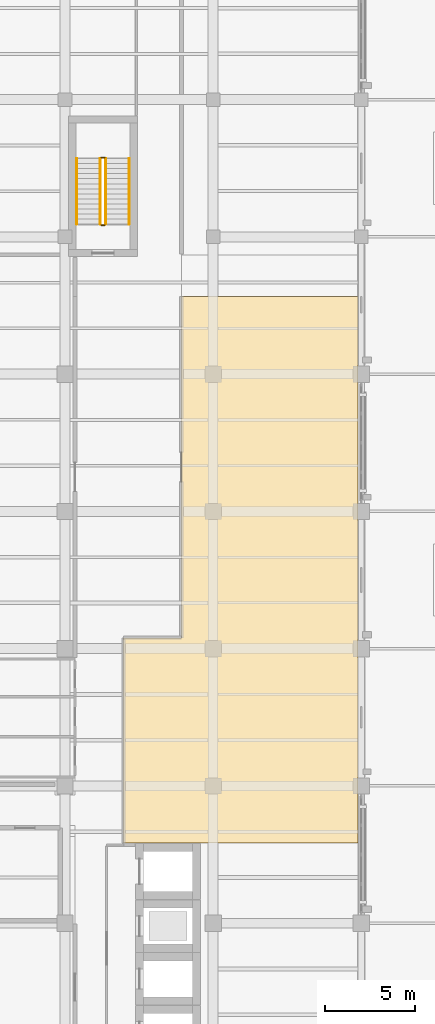
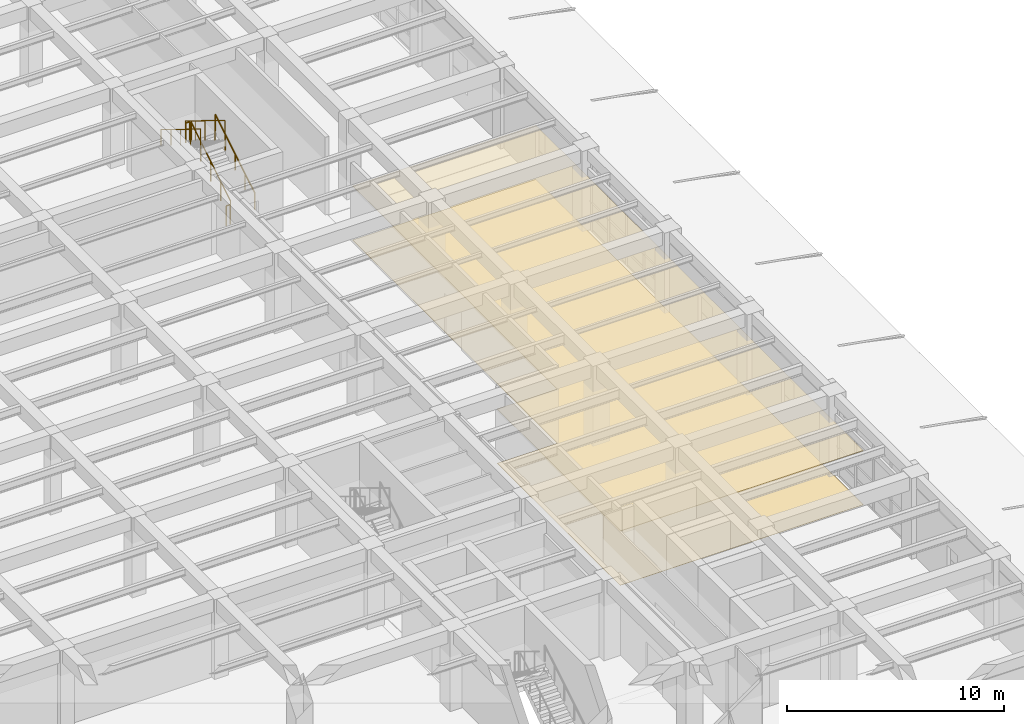
# One storey, part 55 of 57: 6 railings, 2 coverings.
"""IFC4 building model written with IfcOpenShell, lengths in metres."""

from ifc_helpers import new_model, si_unit, direction, frame, origin, origin_2d, place, context, subcontext, project, spatial, polyline, circle, outline, extrude, material, layer, layer_set, type_object, element, save


model = new_model("IFC4")

# Units and contexts
model_context = context("Model", 3, precision=1e-05, world=origin(), true_north=direction((0.0, 1.0)))
body_context = subcontext(model_context, "Body", "Model", "MODEL_VIEW")
ifc_project = project(units=[si_unit("LENGTHUNIT", "METRE"), si_unit("AREAUNIT", "SQUARE_METRE"), si_unit("VOLUMEUNIT", "CUBIC_METRE"), si_unit("PLANEANGLEUNIT", "RADIAN"), si_unit("MASSUNIT", "GRAM", prefix="KILO")], contexts=[model_context])

# Site, building, storey
site_placement = place(None, origin())
site = spatial("IfcSite", under=ifc_project, at=site_placement, CompositionType="ELEMENT")
building_placement = place(site_placement, origin())
building = spatial("IfcBuilding", under=site, at=building_placement, Name="Qandaris Square Conservatory and Botanical Centre", CompositionType="ELEMENT")
storey_placement = place(building_placement, frame((0.0, 0.0, 5.39990234375)))
storey = spatial("IfcBuildingStorey", under=building, at=storey_placement, Name="L01", CompositionType="ELEMENT", Elevation=5.39990234375)

# Coverings
ifc_material_1 = material(Name="Gypsum Plasterboard", Category="gypsum")
ifc_layer_1 = layer(ifc_material_1, 0.02490234375)
ifc_layer_set_1 = layer_set([ifc_layer_1], Name="Gypsum Plasterboard")
covering_type_1 = type_object("IfcCoveringType", Name="Perforated Acoustic Lab Ceiling Tile", PredefinedType="CEILING", material=ifc_layer_set_1)
covering_1_placement = place(storey_placement, frame((0.0, 0.0, 3.050048828125)))
element("IfcCovering", 1, at=covering_1_placement, inside=storey, type_object=covering_type_1, Name="Arabian Peninsula Herbarium Compactor Hall Ceiling", PredefinedType="CEILING", context=body_context, shape_type="SweptSolid", body=[
    extrude(outline(polyline([(150.64990234375, 47.60009765625), (153.85009765625, 47.60009765625), (153.85009765625, 66.5), (163.6201171875, 66.5), (163.6201171875, 36.25), (150.64990234375, 36.25), (150.64990234375, 47.60009765625)])), origin(), (0.0, 0.0, 1.0), 0.025146484375),
])
ifc_material_2 = material(Name="Epoxy Resin Screed", Category="finish")
ifc_layer_2 = layer(ifc_material_2, 0.014892578125)
ifc_layer_set_2 = layer_set([ifc_layer_2], Name="Epoxy Resin Screed")
covering_type_2 = type_object("IfcCoveringType", Name="Seamless Epoxy Laboratory Flooring", PredefinedType="FLOORING", material=ifc_layer_set_2)
covering_2_placement = place(storey_placement, origin())
element("IfcCovering", 2, at=covering_2_placement, inside=storey, type_object=covering_type_2, Name="Arabian Peninsula Herbarium Compactor Hall Flooring", PredefinedType="FLOORING", context=body_context, shape_type="SweptSolid", body=[
    extrude(outline(polyline([(150.64990234375, 47.60009765625), (153.85009765625, 47.60009765625), (153.85009765625, 66.5), (163.6201171875, 66.5), (163.6201171875, 36.25), (150.64990234375, 36.25), (150.64990234375, 47.60009765625)])), origin(), (0.0, 0.0, 1.0), 0.01513671875),
])

# Railings
ifc_material_3 = material(Name="Stainless Steel", Category="steel")
railing_type_1 = type_object("IfcRailingType", Name="Stair Tubular Handrail 920mm", PredefinedType="HANDRAIL", material=ifc_material_3)
railing_1_placement = place(storey_placement, frame((150.949951171875, 70.5, 0.343017578125)))
element("IfcRailing", 3, at=railing_1_placement, inside=storey, type_object=railing_type_1, Name="L01 ST-3 stair handrail 1", PredefinedType="HANDRAIL", context=body_context, shape_type="SweptSolid", body=[
    extrude(circle(Radius=0.02392578125, at=origin_2d()), frame((0.0, 0.0, 0.89599609375), z_axis=(0.0, 0.852850264322, 0.5221555579), x_axis=(-1.0, 0.0, 0.0)), (0.0, 0.0, 1.0), 4.267822265625),
    extrude(circle(Radius=0.02099609375, at=origin_2d()), origin(), (0.0, 0.0, 1.0), 0.871826171875),
    extrude(circle(Radius=0.02099609375, at=origin_2d()), frame((0.0, 0.909912109375, 0.55712890625)), (0.0, 0.0, 1.0), 0.871826171875),
    extrude(circle(Radius=0.02099609375, at=origin_2d()), frame((0.0, 1.81982421875, 1.1142578125)), (0.0, 0.0, 1.0), 0.871826171875),
    extrude(circle(Radius=0.02099609375, at=origin_2d()), frame((0.0, 2.72998046875, 1.67138671875)), (0.0, 0.0, 1.0), 0.871826171875),
    extrude(circle(Radius=0.02099609375, at=origin_2d()), frame((0.0, 3.639892578125, 2.228515625)), (0.0, 0.0, 1.0), 0.871826171875),
])
railing_2_placement = place(storey_placement, frame((148.050048828125, 74.139892578125, 2.742919921875)))
element("IfcRailing", 4, at=railing_2_placement, inside=storey, type_object=railing_type_1, Name="L01 ST-3 stair handrail 2", PredefinedType="HANDRAIL", context=body_context, shape_type="SweptSolid", body=[
    extrude(circle(Radius=0.02392578125, at=origin_2d()), frame((0.0, 0.0, 0.89599609375), z_axis=(0.0, -0.852850264322, 0.5221555579), x_axis=(1.0, 0.0, 0.0)), (0.0, 0.0, 1.0), 4.267822265625),
    extrude(circle(Radius=0.02099609375, at=origin_2d()), origin(), (0.0, 0.0, 1.0), 0.871826171875),
    extrude(circle(Radius=0.02099609375, at=origin_2d()), frame((0.0, -0.909912109375, 0.55712890625)), (0.0, 0.0, 1.0), 0.871826171875),
    extrude(circle(Radius=0.02099609375, at=origin_2d()), frame((0.0, -1.81982421875, 1.1142578125)), (0.0, 0.0, 1.0), 0.871826171875),
    extrude(circle(Radius=0.02099609375, at=origin_2d()), frame((0.0, -2.72998046875, 1.67138671875)), (0.0, 0.0, 1.0), 0.871826171875),
    extrude(circle(Radius=0.02099609375, at=origin_2d()), frame((0.0, -3.639892578125, 2.228515625)), (0.0, 0.0, 1.0), 0.871826171875),
])
railing_type_2 = type_object("IfcRailingType", Name="Stairwell & Atrium Guardrail 1120mm", PredefinedType="GUARDRAIL", material=ifc_material_3)
railing_3_placement = place(storey_placement, frame((149.64990234375, 70.5, 0.171630859375)))
element("IfcRailing", 5, at=railing_3_placement, inside=storey, type_object=railing_type_2, Name="L01 ST-3 stair guard 1", PredefinedType="GUARDRAIL", context=body_context, shape_type="SweptSolid", body=[
    extrude(circle(Radius=0.02392578125, at=origin_2d()), frame((0.0, 0.0, 1.09619140625), z_axis=(0.0, 0.852850264322, 0.5221555579), x_axis=(-1.0, 0.0, 0.0)), (0.0, 0.0, 1.0), 4.267822265625),
    extrude(circle(Radius=0.02099609375, at=origin_2d()), origin(), (0.0, 0.0, 1.0), 1.072021484375),
    extrude(circle(Radius=0.02099609375, at=origin_2d()), frame((0.0, 0.909912109375, 0.55712890625)), (0.0, 0.0, 1.0), 1.072021484375),
    extrude(circle(Radius=0.02099609375, at=origin_2d()), frame((0.0, 1.81982421875, 1.1142578125)), (0.0, 0.0, 1.0), 1.072021484375),
    extrude(circle(Radius=0.02099609375, at=origin_2d()), frame((0.0, 2.72998046875, 1.67138671875)), (0.0, 0.0, 1.0), 1.072021484375),
    extrude(circle(Radius=0.02099609375, at=origin_2d()), frame((0.0, 3.639892578125, 2.228515625)), (0.0, 0.0, 1.0), 1.072021484375),
])
railing_4_placement = place(storey_placement, frame((149.60009765625, 74.18994140625, 2.400146484375)))
element("IfcRailing", 6, at=railing_4_placement, inside=storey, type_object=railing_type_2, Name="L01 ST-3 stair guard 2", PredefinedType="GUARDRAIL", context=body_context, shape_type="SweptSolid", body=[
    extrude(circle(Radius=0.02392578125, at=origin_2d()), frame((0.0, 0.0, 1.09619140625), z_axis=(-1.0, 0.0, 0.0), x_axis=(0.0, -1.0, 0.0)), (0.0, 0.0, 1.0), 0.2001953125),
    extrude(circle(Radius=0.02099609375, at=origin_2d()), origin(), (0.0, 0.0, 1.0), 1.072021484375),
    extrude(circle(Radius=0.02099609375, at=origin_2d()), frame((-0.2001953125, 0.0, 0.0)), (0.0, 0.0, 1.0), 1.072021484375),
])
railing_5_placement = place(storey_placement, frame((149.35009765625, 74.139892578125, 2.571533203125)))
element("IfcRailing", 7, at=railing_5_placement, inside=storey, type_object=railing_type_2, Name="L01 ST-3 stair guard 3", PredefinedType="GUARDRAIL", context=body_context, shape_type="SweptSolid", body=[
    extrude(circle(Radius=0.02392578125, at=origin_2d()), frame((0.0, 0.0, 1.09619140625), z_axis=(0.0, -0.852850264322, 0.5221555579), x_axis=(1.0, 0.0, 0.0)), (0.0, 0.0, 1.0), 4.267822265625),
    extrude(circle(Radius=0.02099609375, at=origin_2d()), origin(), (0.0, 0.0, 1.0), 1.072021484375),
    extrude(circle(Radius=0.02099609375, at=origin_2d()), frame((0.0, -0.909912109375, 0.55712890625)), (0.0, 0.0, 1.0), 1.072021484375),
    extrude(circle(Radius=0.02099609375, at=origin_2d()), frame((0.0, -1.81982421875, 1.1142578125)), (0.0, 0.0, 1.0), 1.072021484375),
    extrude(circle(Radius=0.02099609375, at=origin_2d()), frame((0.0, -2.72998046875, 1.67138671875)), (0.0, 0.0, 1.0), 1.072021484375),
    extrude(circle(Radius=0.02099609375, at=origin_2d()), frame((0.0, -3.639892578125, 2.228515625)), (0.0, 0.0, 1.0), 1.072021484375),
])
railing_6_placement = place(storey_placement, frame((149.60009765625, 70.449951171875, 0.0)))
element("IfcRailing", 8, at=railing_6_placement, inside=storey, type_object=railing_type_2, Name="L01 ST-3 stair guard 4", PredefinedType="GUARDRAIL", context=body_context, shape_type="SweptSolid", body=[
    extrude(circle(Radius=0.02392578125, at=origin_2d()), frame((0.0, 0.0, 1.09619140625), z_axis=(-1.0, 0.0, 0.0), x_axis=(0.0, -1.0, 0.0)), (0.0, 0.0, 1.0), 0.2001953125),
    extrude(circle(Radius=0.02099609375, at=origin_2d()), origin(), (0.0, 0.0, 1.0), 1.072021484375),
    extrude(circle(Radius=0.02099609375, at=origin_2d()), frame((-0.2001953125, 0.0, 0.0)), (0.0, 0.0, 1.0), 1.072021484375),
])

save(model, "model.ifc")
